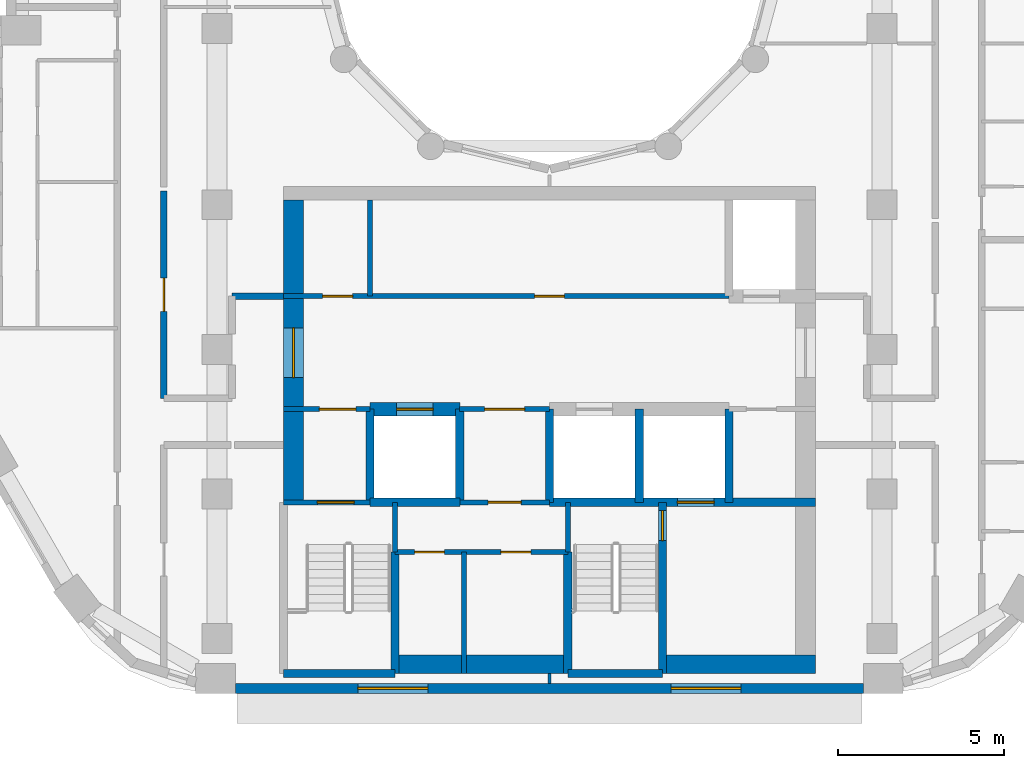
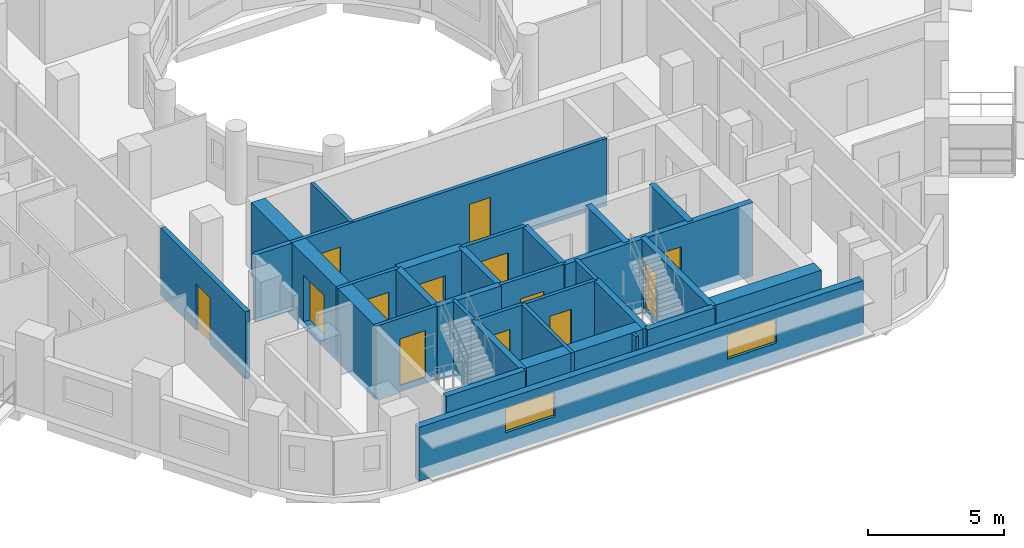
# One storey, part 3 of 15: 30 walls, 13 doors, 2 windows, 15 openings.
"""IFC4 building model written with IfcOpenShell, lengths in metres."""

import ifcopenshell
import ifcopenshell.guid

model = None  # the IFC model being written
_history = None  # IfcOwnerHistory: only IFC2X3 demands one
_inside = {}  # id of a spatial element -> (the spatial element, [elements in it])
_under = {}  # id of a project, library or spatial element -> (it, [spatial elements below it])
_declared = {}  # id of a project -> (the project, [libraries it declares])
_typed = {}  # id of a type object -> (the type object, [elements of that type])
_made_of = {}  # id of a material, layer set ... -> (it, [elements and type objects made of it])


def new_model(schema):
    """Start an empty IFC model of exactly this schema.

    Asked for "IFC4X3", IfcOpenShell would pick the latest addendum, in which some entities
    have other attributes; the version numbers below select the first issue.
    IFC2X3 requires an IfcOwnerHistory on every rooted entity: one is made here for all.
    """
    global model, _history
    if schema == "IFC4X3":
        model = ifcopenshell.file(schema_version=(4, 3, 0, 0))
    else:
        model = ifcopenshell.file(schema=schema)
    _inside.clear()
    _under.clear()
    _declared.clear()
    _typed.clear()
    _made_of.clear()
    _history = None
    if model.schema == "IFC2X3":
        org = make("IfcOrganization", Name="unknown")
        user = make(
            "IfcPersonAndOrganization",
            ThePerson=make("IfcPerson", FamilyName="unknown"),
            TheOrganization=org,
        )
        app = make(
            "IfcApplication",
            ApplicationDeveloper=org,
            Version="unknown",
            ApplicationFullName="unknown",
            ApplicationIdentifier="unknown",
        )
        _history = make(
            "IfcOwnerHistory",
            OwningUser=user,
            OwningApplication=app,
            ChangeAction="ADDED",
            CreationDate=0,
        )
    return model


def make(cls, **values):
    """One entity of the class cls with the attributes given. An attribute that is None is left unset."""
    return model.create_entity(
        cls, **{name: value for name, value in values.items() if value is not None}
    )


def rooted(cls, **values):
    """An entity with a GlobalId (a new one), such as an element, a storey or a relation."""
    return make(cls, GlobalId=ifcopenshell.guid.new(), OwnerHistory=_history, **values)


def si_unit(unit_type, name, prefix=None):
    """IfcSIUnit, for example si_unit("LENGTHUNIT", "METRE", prefix="MILLI")."""
    return make("IfcSIUnit", UnitType=unit_type, Prefix=prefix, Name=name)


def assignment(units):
    """IfcUnitAssignment: the units of a project."""
    return None if units is None else make("IfcUnitAssignment", Units=units)


def point(xyz):
    """IfcCartesianPoint."""
    return None if xyz is None else make("IfcCartesianPoint", Coordinates=xyz)


def direction(xyz):
    """IfcDirection."""
    return None if xyz is None else make("IfcDirection", DirectionRatios=xyz)


def frame(location, z_axis=None, x_axis=None):
    """IfcAxis2Placement3D, a coordinate frame: its origin and axes. An axis left out is left unset."""
    return make(
        "IfcAxis2Placement3D",
        Location=point(location),
        Axis=direction(z_axis),
        RefDirection=direction(x_axis),
    )


def frame_2d(location, x_axis=None):
    """IfcAxis2Placement2D, a coordinate frame in the plane: its origin and x axis."""
    return make(
        "IfcAxis2Placement2D", Location=point(location), RefDirection=direction(x_axis)
    )


def origin():
    """The frame at (0, 0, 0) with its axes left unset."""
    return frame((0.0, 0.0, 0.0))


def place(relative_to, where):
    """IfcLocalPlacement: puts the frame where relative to a parent placement (None: the world)."""
    return make(
        "IfcLocalPlacement", PlacementRelTo=relative_to, RelativePlacement=where
    )


def context(
    kind, dimensions, precision=None, world=None, true_north=None, identifier=None
):
    """IfcGeometricRepresentationContext, for example the 3D "Model" context."""
    return make(
        "IfcGeometricRepresentationContext",
        ContextIdentifier=identifier,
        ContextType=kind,
        CoordinateSpaceDimension=dimensions,
        Precision=precision,
        WorldCoordinateSystem=world,
        TrueNorth=true_north,
    )


def subcontext(parent, identifier, kind, view, scale=None):
    """IfcGeometricRepresentationSubContext, for example "Body" below "Model"."""
    return make(
        "IfcGeometricRepresentationSubContext",
        ContextIdentifier=identifier,
        ContextType=kind,
        ParentContext=parent,
        TargetScale=scale,
        TargetView=view,
    )


def project(units=None, contexts=None):
    """IfcProject with its units and contexts."""
    return rooted(
        "IfcProject",
        Name="project",
        RepresentationContexts=contexts,
        UnitsInContext=assignment(units),
    )


def spatial(cls, under=None, at=None, **own):
    """A site, building, storey or space (cls), placed at a placement, below another one or the project."""
    s = rooted(cls, ObjectPlacement=at, **own)
    if under is not None:
        _under.setdefault(under.id(), (under, []))[1].append(s)
    return s


def profile(cls, at=None, kind="AREA", **sizes):
    """A parametric profile (cls). Its sizes go by their IFC names, for example OverallWidth=200.0."""
    return make(cls, ProfileType=kind, Position=at, **sizes)


def rectangle(**sizes):
    """IfcRectangleProfileDef."""
    return profile("IfcRectangleProfileDef", **sizes)


def extrude(swept, where, along, depth):
    """IfcExtrudedAreaSolid: the profile swept, set in the frame where, extruded along a direction by depth."""
    return make(
        "IfcExtrudedAreaSolid",
        SweptArea=swept,
        Position=where,
        ExtrudedDirection=direction(along),
        Depth=depth,
    )


def shape(context_of_items, identifier, shape_type, items):
    """IfcShapeRepresentation: the items that make up one representation, for example the "Body"."""
    return make(
        "IfcShapeRepresentation",
        ContextOfItems=context_of_items,
        RepresentationIdentifier=identifier,
        RepresentationType=shape_type,
        Items=items,
    )


def material(Name=None, Category=None):
    """IfcMaterial."""
    return make("IfcMaterial", Name=Name, Category=Category)


def layer(
    of_material, thickness, ventilated=None, Name=None, Category=None, Priority=None
):
    """IfcMaterialLayer: one layer of a wall or slab, of a material (None: an air gap)."""
    return make(
        "IfcMaterialLayer",
        Material=of_material,
        LayerThickness=thickness,
        IsVentilated=ventilated,
        Name=Name,
        Category=Category,
        Priority=Priority,
    )


def layer_set(layers, Name=None):
    """IfcMaterialLayerSet."""
    return make("IfcMaterialLayerSet", MaterialLayers=layers, LayerSetName=Name)


def made_of(thing, what):
    """Note that an element or type object is made of a material, layer set ...; save() writes the relation."""
    if what is not None:
        _made_of.setdefault(what.id(), (what, []))[1].append(thing)
    return thing


def type_object(cls, material=None, **own):
    """A type object (cls), such as IfcWallType, which elements share."""
    return made_of(rooted(cls, **own), material)


def element(
    cls,
    number,
    at=None,
    inside=None,
    cuts=None,
    type_object=None,
    material=None,
    context=None,
    identifier="Body",
    shape_type=None,
    held_by="IfcProductDefinitionShape",
    body=None,
    shapes=None,
    **own,
):
    """One element of the class cls, such as IfcWall. Its Tag is "e" and its number.

    at: its placement. inside: the storey or other place that contains it. cuts: it is an
    opening in that element (IfcRelVoidsElement). A single representation is given by context,
    identifier, shape_type and body (its items); several are given by shapes. held_by: the class
    of the entity that holds the representations. save() writes the other relations.
    """
    e = rooted(cls, Tag="e%d" % number, ObjectPlacement=at, **own)
    if body is not None:
        shapes = [shape(context, identifier, shape_type, body)]
    if shapes is not None:
        e.Representation = make(held_by, Representations=shapes)
    if inside is not None:
        _inside.setdefault(inside.id(), (inside, []))[1].append(e)
    if cuts is not None:
        rooted(
            "IfcRelVoidsElement", RelatingBuildingElement=cuts, RelatedOpeningElement=e
        )
    if type_object is not None:
        _typed.setdefault(type_object.id(), (type_object, []))[1].append(e)
    return made_of(e, material)


def fill(opening, filler):
    """IfcRelFillsElement: the door or window that sits in an opening."""
    return rooted(
        "IfcRelFillsElement",
        RelatingOpeningElement=opening,
        RelatedBuildingElement=filler,
    )


def aggregate(whole, parts):
    """IfcRelAggregates: a whole, such as a stair, and the parts it consists of."""
    return rooted("IfcRelAggregates", RelatingObject=whole, RelatedObjects=parts)


def save(model, path):
    """Write the relations noted so far, then the file.

    IfcRelAggregates (storeys below a building ...), IfcRelContainedInSpatialStructure (elements
    in a storey), IfcRelDefinesByType, IfcRelAssociatesMaterial and IfcRelDeclares: one each for
    every whole, place, type object, material and project.
    """
    for whole, parts in _under.values():
        aggregate(whole, parts)
    for where, things in _inside.values():
        rooted(
            "IfcRelContainedInSpatialStructure",
            RelatedElements=things,
            RelatingStructure=where,
        )
    for kind, things in _typed.values():
        rooted("IfcRelDefinesByType", RelatedObjects=things, RelatingType=kind)
    for what, things in _made_of.values():
        rooted("IfcRelAssociatesMaterial", RelatedObjects=things, RelatingMaterial=what)
    for by, libraries in _declared.values():
        rooted("IfcRelDeclares", RelatingContext=by, RelatedDefinitions=libraries)
    model.write(path)


model = new_model("IFC4")

# Units and contexts
model_context = context("Model", 3, precision=1e-05, world=origin(), true_north=direction((0.0, 1.0)))
body_context = subcontext(model_context, "Body", "Model", "MODEL_VIEW")
ifc_project = project(units=[si_unit("LENGTHUNIT", "METRE"), si_unit("AREAUNIT", "SQUARE_METRE"), si_unit("VOLUMEUNIT", "CUBIC_METRE"), si_unit("PLANEANGLEUNIT", "RADIAN"), si_unit("MASSUNIT", "GRAM", prefix="KILO")], contexts=[model_context])

# Site, building, storey
site_placement = place(None, origin())
site = spatial("IfcSite", under=ifc_project, at=site_placement, CompositionType="ELEMENT")
building_placement = place(site_placement, origin())
building = spatial("IfcBuilding", under=site, at=building_placement, Name="Nakaniwa Court", CompositionType="ELEMENT")
storey_placement = place(building_placement, frame((0.0, 0.0, 213.0)))
storey = spatial("IfcBuildingStorey", under=building, at=storey_placement, Name="L56", CompositionType="ELEMENT", Elevation=213.0)

# Wall
ifc_material_1 = material(Name="Acoustic double stud partition")
ifc_layer_1 = layer(ifc_material_1, 0.199951171875)
ifc_layer_set_1 = layer_set([ifc_layer_1], Name="Acoustic double stud partition")
wall_type_1 = type_object("IfcWallType", Name="Acoustic double stud partition 200", PredefinedType="PARTITIONING", material=ifc_layer_set_1)
wall_1_placement = place(storey_placement, frame((70.449951171875, 69.300048828125, 0.0), z_axis=(0.0, 0.0, 1.0), x_axis=(1.0, 0.0, 0.0)))
element("IfcWall", 1, at=wall_1_placement, inside=storey, type_object=wall_type_1, Name="Partition PW-076", PredefinedType="PARTITIONING", context=body_context, shape_type="SweptSolid", body=[
    extrude(rectangle(XDim=1.550048828125, YDim=0.199951171875, at=frame_2d((0.77490234375, 0.0))), origin(), (0.0, 0.0, 1.0), 3.02490234375),
])

# Wall, opening, door
wall_2_placement = place(storey_placement, frame((68.39990234375, 72.462890625, 0.0), z_axis=(0.0, 0.0, 1.0), x_axis=(0.0, -1.0, 0.0)))
wall_2 = element("IfcWall", 2, at=wall_2_placement, inside=storey, type_object=wall_type_1, Name="Partition PW-093", PredefinedType="PARTITIONING", context=body_context, shape_type="SweptSolid", body=[
    extrude(rectangle(XDim=6.23779296875, YDim=0.199951171875, at=frame_2d((3.118896484375, 0.0))), origin(), (0.0, 0.0, 1.0), 3.02490234375),
])
opening_1_placement = place(wall_2_placement, frame((2.6201171875, 0.0, 0.0)))
opening_1 = element("IfcOpeningElement", 3, at=opening_1_placement, cuts=wall_2, Name="Opening D-02-06", PredefinedType="OPENING", context=body_context, shape_type="SweptSolid", body=[
    extrude(rectangle(XDim=1.0, YDim=2.10009765625, at=frame_2d((0.5, 1.050048828125))), frame((0.0, 0.10986328125, 0.0), z_axis=(0.0, -1.0, 0.0), x_axis=(1.0, 0.0, 0.0)), (0.0, 0.0, 1.0), 0.219970703125),
])
ifc_material_2 = material(Name="Solid core timber door set, black veneer", Category="wood")
door_type_1 = type_object("IfcDoorType", Name="Internal door 1000", OperationType="NOTDEFINED", PredefinedType="DOOR", material=ifc_material_2)
door_1_placement = place(opening_1_placement, origin())
door_1 = element("IfcDoor", 4, at=door_1_placement, inside=storey, type_object=door_type_1, Name="Door D-02-06 L56-034", OperationType="SINGLE_SWING_LEFT", OverallHeight=2.10009765625, OverallWidth=1.0, PredefinedType="DOOR", context=body_context, shape_type="SweptSolid", body=[
    extrude(rectangle(XDim=1.0, YDim=2.10009765625, at=frame_2d((0.5, 1.050048828125))), frame((0.0, 0.02490234375, 0.0), z_axis=(0.0, -1.0, 0.0), x_axis=(1.0, 0.0, 0.0)), (0.0, 0.0, 1.0), 0.050048828125),
])
fill(opening_1, door_1)

# Wall, openings, windows
ifc_material_3 = material(Name="Charcoal ceramic cladding")
ifc_layer_2 = layer(ifc_material_3, 0.02, Name="Ceramic cladding")
ifc_material_4 = material(Name="Ventilated air cavity")
ifc_layer_3 = layer(ifc_material_4, 0.04, ventilated=True, Name="Ventilated cavity")
ifc_material_5 = material(Name="Mineral wool insulation")
ifc_layer_4 = layer(ifc_material_5, 0.1, Name="Insulation")
ifc_material_6 = material(Name="Cement bonded sheathing board")
ifc_layer_5 = layer(ifc_material_6, 0.012, Name="Sheathing")
ifc_material_7 = material(Name="Cold-formed galvanised stud frame with mineral wool infill")
ifc_layer_6 = layer(ifc_material_7, 0.1, Name="Stud frame")
ifc_material_8 = material(Name="Fire-rated gypsum plasterboard lining")
ifc_layer_7 = layer(ifc_material_8, 0.028, Name="Lining")
ifc_layer_set_2 = layer_set([ifc_layer_2, ifc_layer_3, ifc_layer_4, ifc_layer_5, ifc_layer_6, ifc_layer_7], Name="Charcoal ceramic faced external wall system")
wall_type_2 = type_object("IfcWallType", Name="Black ceramic faced external wall 300", PredefinedType="SOLIDWALL", material=ifc_layer_set_2)
wall_3_placement = place(storey_placement, frame((70.55078125, 57.5, 0.0), z_axis=(0.0, 0.0, 1.0), x_axis=(1.0, 0.0, 0.0)))
wall_3 = element("IfcWall", 5, at=wall_3_placement, inside=storey, type_object=wall_type_2, Name="L56 external wall 26", PredefinedType="SOLIDWALL", context=body_context, shape_type="SweptSolid", body=[
    extrude(rectangle(XDim=18.892822265625, YDim=0.300048828125, at=frame_2d((9.4462890625, 0.0))), origin(), (0.0, 0.0, 1.0), 2.425048828125),
])
opening_2_placement = place(wall_3_placement, frame((3.6865234375, 0.0, 0.89990234375)))
opening_2 = element("IfcOpeningElement", 6, at=opening_2_placement, cuts=wall_3, Name="Opening W7.29", PredefinedType="OPENING", context=body_context, shape_type="SweptSolid", body=[
    extrude(rectangle(XDim=2.10009765625, YDim=1.10009765625, at=frame_2d((1.050048828125, 0.550048828125))), frame((0.0, 0.159912109375, 0.0), z_axis=(0.0, -1.0, 0.0), x_axis=(1.0, 0.0, 0.0)), (0.0, 0.0, 1.0), 0.320068359375),
])
opening_3_placement = place(wall_3_placement, frame((13.10888671875, 0.0, 0.89990234375)))
opening_3 = element("IfcOpeningElement", 7, at=opening_3_placement, cuts=wall_3, Name="Opening W7.30", PredefinedType="OPENING", context=body_context, shape_type="SweptSolid", body=[
    extrude(rectangle(XDim=2.10009765625, YDim=1.10009765625, at=frame_2d((1.050048828125, 0.550048828125))), frame((0.0, 0.159912109375, 0.0), z_axis=(0.0, -1.0, 0.0), x_axis=(1.0, 0.0, 0.0)), (0.0, 0.0, 1.0), 0.320068359375),
])
ifc_material_9 = material(Name="Black anodised aluminium frame with dark low-E laminated double glazing", Category="aluminium")
window_type = type_object("IfcWindowType", Name="Dark glass window 2100x1100 sill 900", PartitioningType="SINGLE_PANEL", PredefinedType="WINDOW", material=ifc_material_9)
window_1_placement = place(opening_2_placement, origin())
window_1 = element("IfcWindow", 8, at=window_1_placement, inside=storey, type_object=window_type, Name="L56 habitable room window 26-0", OverallHeight=1.10009765625, OverallWidth=2.10009765625, PartitioningType="SINGLE_PANEL", PredefinedType="WINDOW", context=body_context, shape_type="SweptSolid", body=[
    extrude(rectangle(XDim=2.10009765625, YDim=1.10009765625, at=frame_2d((1.050048828125, 0.550048828125))), frame((0.0, 0.030029296875, 0.0), z_axis=(0.0, -1.0, 0.0), x_axis=(1.0, 0.0, 0.0)), (0.0, 0.0, 1.0), 0.06005859375),
])
fill(opening_2, window_1)
window_2_placement = place(opening_3_placement, origin())
window_2 = element("IfcWindow", 9, at=window_2_placement, inside=storey, type_object=window_type, Name="L56 habitable room window 26-1", OverallHeight=1.10009765625, OverallWidth=2.10009765625, PartitioningType="SINGLE_PANEL", PredefinedType="WINDOW", context=body_context, shape_type="SweptSolid", body=[
    extrude(rectangle(XDim=2.10009765625, YDim=1.10009765625, at=frame_2d((1.050048828125, 0.550048828125))), frame((0.0, 0.030029296875, 0.0), z_axis=(0.0, -1.0, 0.0), x_axis=(1.0, 0.0, 0.0)), (0.0, 0.0, 1.0), 0.06005859375),
])
fill(opening_3, window_2)

# Wall
ifc_material_10 = material(Name="Blockwork partition", Category="masonry")
ifc_layer_8 = layer(ifc_material_10, 0.14990234375)
ifc_layer_set_3 = layer_set([ifc_layer_8], Name="Blockwork partition")
wall_type_3 = type_object("IfcWallType", Name="Blockwork partition 150", PredefinedType="PARTITIONING", material=ifc_layer_set_3)
wall_4_placement = place(storey_placement, frame((74.60009765625, 69.300048828125, 0.0), z_axis=(0.0, 0.0, 1.0), x_axis=(0.0, 1.0, 0.0)))
element("IfcWall", 10, at=wall_4_placement, inside=storey, type_object=wall_type_3, Name="Partition PW-033", PredefinedType="PARTITIONING", context=body_context, shape_type="SweptSolid", body=[
    extrude(rectangle(XDim=2.89990234375, YDim=0.14990234375, at=frame_2d((1.449951171875, 0.0))), origin(), (0.0, 0.0, 1.0), 3.02490234375),
])

# Wall, openings, doors
wall_5_placement = place(storey_placement, frame((72.0, 69.300048828125, 0.0), z_axis=(0.0, 0.0, 1.0), x_axis=(1.0, 0.0, 0.0)))
wall_5 = element("IfcWall", 11, at=wall_5_placement, inside=storey, type_object=wall_type_3, Name="Partition PW-034", PredefinedType="PARTITIONING", context=body_context, shape_type="SweptSolid", body=[
    extrude(rectangle(XDim=13.39990234375, YDim=0.14990234375, at=frame_2d((6.699951171875, 0.0))), origin(), (0.0, 0.0, 1.0), 3.02490234375),
])
opening_4_placement = place(wall_5_placement, frame((1.175048828125, 0.0, 0.0)))
opening_4 = element("IfcOpeningElement", 12, at=opening_4_placement, cuts=wall_5, Name="Opening D-05-06", PredefinedType="OPENING", context=body_context, shape_type="SweptSolid", body=[
    extrude(rectangle(XDim=0.89990234375, YDim=2.10009765625, at=frame_2d((0.449951171875, 1.050048828125))), frame((0.0, 0.0849609375, 0.0), z_axis=(0.0, -1.0, 0.0), x_axis=(1.0, 0.0, 0.0)), (0.0, 0.0, 1.0), 0.169921875),
])
opening_5_placement = place(wall_5_placement, frame((7.550048828125, 0.0, 0.0)))
opening_5 = element("IfcOpeningElement", 13, at=opening_5_placement, cuts=wall_5, Name="Opening D-05-07", PredefinedType="OPENING", context=body_context, shape_type="SweptSolid", body=[
    extrude(rectangle(XDim=0.89990234375, YDim=2.10009765625, at=frame_2d((0.449951171875, 1.050048828125))), frame((0.0, 0.0849609375, 0.0), z_axis=(0.0, -1.0, 0.0), x_axis=(1.0, 0.0, 0.0)), (0.0, 0.0, 1.0), 0.169921875),
])
ifc_material_11 = material(Name="Fire rated steel door set", Category="steel")
door_type_2 = type_object("IfcDoorType", Name="Service room door 900", OperationType="NOTDEFINED", PredefinedType="DOOR", material=ifc_material_11)
door_2_placement = place(opening_4_placement, origin())
door_2 = element("IfcDoor", 14, at=door_2_placement, inside=storey, type_object=door_type_2, Name="Door D-05-06 L56-011", OperationType="SINGLE_SWING_RIGHT", OverallHeight=2.10009765625, OverallWidth=0.89990234375, PredefinedType="DOOR", context=body_context, shape_type="SweptSolid", body=[
    extrude(rectangle(XDim=0.89990234375, YDim=2.10009765625, at=frame_2d((0.449951171875, 1.050048828125))), frame((0.0, 0.02490234375, 0.0), z_axis=(0.0, -1.0, 0.0), x_axis=(1.0, 0.0, 0.0)), (0.0, 0.0, 1.0), 0.050048828125),
])
fill(opening_4, door_2)
door_3_placement = place(opening_5_placement, origin())
door_3 = element("IfcDoor", 15, at=door_3_placement, inside=storey, type_object=door_type_2, Name="Door D-05-07 L56-012", OperationType="SINGLE_SWING_LEFT", OverallHeight=2.10009765625, OverallWidth=0.89990234375, PredefinedType="DOOR", context=body_context, shape_type="SweptSolid", body=[
    extrude(rectangle(XDim=0.89990234375, YDim=2.10009765625, at=frame_2d((0.449951171875, 1.050048828125))), frame((0.0, 0.02490234375, 0.0), z_axis=(0.0, -1.0, 0.0), x_axis=(1.0, 0.0, 0.0)), (0.0, 0.0, 1.0), 0.050048828125),
])
fill(opening_5, door_3)

# Wall, opening, door
wall_6_placement = place(storey_placement, frame((74.60302734375, 65.89990234375, 0.0), z_axis=(0.0, 0.0, 1.0), x_axis=(-1.0, 0.0, 0.0)))
wall_6 = element("IfcWall", 16, at=wall_6_placement, inside=storey, type_object=wall_type_3, Name="Partition PW-040", PredefinedType="PARTITIONING", context=body_context, shape_type="SweptSolid", body=[
    extrude(rectangle(XDim=2.60302734375, YDim=0.14990234375, at=frame_2d((1.301513671875, 0.0))), origin(), (0.0, 0.0, 1.0), 3.02490234375),
])
opening_6_placement = place(wall_6_placement, frame((0.427978515625, 0.0, 0.0)))
opening_6 = element("IfcOpeningElement", 17, at=opening_6_placement, cuts=wall_6, Name="Opening D-08-02", PredefinedType="OPENING", context=body_context, shape_type="SweptSolid", body=[
    extrude(rectangle(XDim=1.10009765625, YDim=2.10009765625, at=frame_2d((0.550048828125, 1.050048828125))), frame((0.0, 0.0849609375, 0.0), z_axis=(0.0, -1.0, 0.0), x_axis=(1.0, 0.0, 0.0)), (0.0, 0.0, 1.0), 0.169921875),
])
door_type_3 = type_object("IfcDoorType", Name="Stair lobby door 1100", OperationType="NOTDEFINED", PredefinedType="DOOR", material=ifc_material_11)
door_4_placement = place(opening_6_placement, origin())
door_4 = element("IfcDoor", 18, at=door_4_placement, inside=storey, type_object=door_type_3, Name="Door D-08-02 L56-013", OperationType="SINGLE_SWING_RIGHT", OverallHeight=2.10009765625, OverallWidth=1.10009765625, PredefinedType="DOOR", context=body_context, shape_type="SweptSolid", body=[
    extrude(rectangle(XDim=1.10009765625, YDim=2.10009765625, at=frame_2d((0.550048828125, 1.050048828125))), frame((0.0, 0.02490234375, 0.0), z_axis=(0.0, -1.0, 0.0), x_axis=(1.0, 0.0, 0.0)), (0.0, 0.0, 1.0), 0.050048828125),
])
fill(opening_6, door_4)

wall_7_placement = place(storey_placement, frame((80.0029296875, 65.89990234375, 0.0), z_axis=(0.0, 0.0, 1.0), x_axis=(-1.0, 0.0, 0.0)))
wall_7 = element("IfcWall", 19, at=wall_7_placement, inside=storey, type_object=wall_type_3, Name="Partition PW-041", PredefinedType="PARTITIONING", context=body_context, shape_type="SweptSolid", body=[
    extrude(rectangle(XDim=2.705810546875, YDim=0.14990234375, at=frame_2d((1.35302734375, 0.0))), origin(), (0.0, 0.0, 1.0), 3.02490234375),
])
opening_7_placement = place(wall_7_placement, frame((0.7529296875, 0.0, 0.0)))
opening_7 = element("IfcOpeningElement", 20, at=opening_7_placement, cuts=wall_7, Name="Opening D-06-02", PredefinedType="OPENING", context=body_context, shape_type="SweptSolid", body=[
    extrude(rectangle(XDim=1.199951171875, YDim=2.10009765625, at=frame_2d((0.60009765625, 1.050048828125))), frame((0.0, 0.0849609375, 0.0), z_axis=(0.0, -1.0, 0.0), x_axis=(1.0, 0.0, 0.0)), (0.0, 0.0, 1.0), 0.169921875),
])
ifc_material_12 = material(Name="Fire rated steel double door set", Category="steel")
door_type_4 = type_object("IfcDoorType", Name="Service passage double door 1200", OperationType="NOTDEFINED", PredefinedType="DOOR", material=ifc_material_12)
door_5_placement = place(opening_7_placement, origin())
door_5 = element("IfcDoor", 21, at=door_5_placement, inside=storey, type_object=door_type_4, Name="Door D-06-02 L56-014", OperationType="DOUBLE_DOOR_SINGLE_SWING", OverallHeight=2.10009765625, OverallWidth=1.199951171875, PredefinedType="DOOR", context=body_context, shape_type="SweptSolid", body=[
    extrude(rectangle(XDim=1.199951171875, YDim=2.10009765625, at=frame_2d((0.60009765625, 1.050048828125))), frame((0.0, 0.02490234375, 0.0), z_axis=(0.0, -1.0, 0.0), x_axis=(1.0, 0.0, 0.0)), (0.0, 0.0, 1.0), 0.050048828125),
])
fill(opening_7, door_5)

wall_8_placement = place(storey_placement, frame((80.0, 63.10009765625, 0.0), z_axis=(0.0, 0.0, 1.0), x_axis=(-1.0, 0.0, 0.0)))
wall_8 = element("IfcWall", 22, at=wall_8_placement, inside=storey, type_object=wall_type_3, Name="Partition PW-051", PredefinedType="PARTITIONING", context=body_context, shape_type="SweptSolid", body=[
    extrude(rectangle(XDim=2.699951171875, YDim=0.14990234375, at=frame_2d((1.35009765625, 0.0))), origin(), (0.0, 0.0, 1.0), 3.02490234375),
])
opening_8_placement = place(wall_8_placement, frame((0.85009765625, 0.0, 0.0)))
opening_8 = element("IfcOpeningElement", 23, at=opening_8_placement, cuts=wall_8, Name="Opening D-23-02", PredefinedType="OPENING", context=body_context, shape_type="SweptSolid", body=[
    extrude(rectangle(XDim=1.0, YDim=2.10009765625, at=frame_2d((0.5, 1.050048828125))), frame((0.0, 0.0849609375, 0.0), z_axis=(0.0, -1.0, 0.0), x_axis=(1.0, 0.0, 0.0)), (0.0, 0.0, 1.0), 0.169921875),
])
door_type_5 = type_object("IfcDoorType", Name="Service room door 1000", OperationType="NOTDEFINED", PredefinedType="DOOR", material=ifc_material_11)
door_6_placement = place(opening_8_placement, origin())
door_6 = element("IfcDoor", 24, at=door_6_placement, inside=storey, type_object=door_type_5, Name="Door D-23-02 L56-016", OperationType="SINGLE_SWING_LEFT", OverallHeight=2.10009765625, OverallWidth=1.0, PredefinedType="DOOR", context=body_context, shape_type="SweptSolid", body=[
    extrude(rectangle(XDim=1.0, YDim=2.10009765625, at=frame_2d((0.5, 1.050048828125))), frame((0.0, 0.02490234375, 0.0), z_axis=(0.0, -1.0, 0.0), x_axis=(1.0, 0.0, 0.0)), (0.0, 0.0, 1.0), 0.050048828125),
])
fill(opening_8, door_6)

# Wall, openings, doors
wall_9_placement = place(storey_placement, frame((80.550048828125, 61.60009765625, 0.0), z_axis=(0.0, 0.0, 1.0), x_axis=(-1.0, 0.0, 0.0)))
wall_9 = element("IfcWall", 25, at=wall_9_placement, inside=storey, type_object=wall_type_3, Name="Partition PW-063", PredefinedType="PARTITIONING", context=body_context, shape_type="SweptSolid", body=[
    extrude(rectangle(XDim=5.199951171875, YDim=0.14990234375, at=frame_2d((2.60009765625, 0.0))), origin(), (0.0, 0.0, 1.0), 3.02490234375),
])
opening_9_placement = place(wall_9_placement, frame((3.7099609375, 0.0, 0.0)))
opening_9 = element("IfcOpeningElement", 26, at=opening_9_placement, cuts=wall_9, Name="Opening D-05-09", PredefinedType="OPENING", context=body_context, shape_type="SweptSolid", body=[
    extrude(rectangle(XDim=0.89990234375, YDim=2.10009765625, at=frame_2d((0.449951171875, 1.050048828125))), frame((0.0, 0.0849609375, 0.0), z_axis=(0.0, -1.0, 0.0), x_axis=(1.0, 0.0, 0.0)), (0.0, 0.0, 1.0), 0.169921875),
])
opening_10_placement = place(wall_9_placement, frame((1.110107421875, 0.0, 0.0)))
opening_10 = element("IfcOpeningElement", 27, at=opening_10_placement, cuts=wall_9, Name="Opening D-05-10", PredefinedType="OPENING", context=body_context, shape_type="SweptSolid", body=[
    extrude(rectangle(XDim=0.89990234375, YDim=2.10009765625, at=frame_2d((0.449951171875, 1.050048828125))), frame((0.0, 0.0849609375, 0.0), z_axis=(0.0, -1.0, 0.0), x_axis=(1.0, 0.0, 0.0)), (0.0, 0.0, 1.0), 0.169921875),
])
door_7_placement = place(opening_9_placement, origin())
door_7 = element("IfcDoor", 28, at=door_7_placement, inside=storey, type_object=door_type_2, Name="Door D-05-09 L56-017", OperationType="SINGLE_SWING_RIGHT", OverallHeight=2.10009765625, OverallWidth=0.89990234375, PredefinedType="DOOR", context=body_context, shape_type="SweptSolid", body=[
    extrude(rectangle(XDim=0.89990234375, YDim=2.10009765625, at=frame_2d((0.449951171875, 1.050048828125))), frame((0.0, 0.02490234375, 0.0), z_axis=(0.0, -1.0, 0.0), x_axis=(1.0, 0.0, 0.0)), (0.0, 0.0, 1.0), 0.050048828125),
])
fill(opening_9, door_7)
door_8_placement = place(opening_10_placement, origin())
door_8 = element("IfcDoor", 29, at=door_8_placement, inside=storey, type_object=door_type_2, Name="Door D-05-10 L56-018", OperationType="SINGLE_SWING_LEFT", OverallHeight=2.10009765625, OverallWidth=0.89990234375, PredefinedType="DOOR", context=body_context, shape_type="SweptSolid", body=[
    extrude(rectangle(XDim=0.89990234375, YDim=2.10009765625, at=frame_2d((0.449951171875, 1.050048828125))), frame((0.0, 0.02490234375, 0.0), z_axis=(0.0, -1.0, 0.0), x_axis=(1.0, 0.0, 0.0)), (0.0, 0.0, 1.0), 0.050048828125),
])
fill(opening_10, door_8)

# Wall
wall_10_placement = place(storey_placement, frame((77.429931640625, 57.949951171875, 0.0), z_axis=(0.0, 0.0, 1.0), x_axis=(0.0, 1.0, 0.0)))
element("IfcWall", 30, at=wall_10_placement, inside=storey, type_object=wall_type_3, Name="Partition PW-064", PredefinedType="PARTITIONING", context=body_context, shape_type="SweptSolid", body=[
    extrude(rectangle(XDim=3.650146484375, YDim=0.14990234375, at=frame_2d((1.8251953125, 0.0))), origin(), (0.0, 0.0, 1.0), 3.02490234375),
])

# Wall, opening, door
ifc_material_13 = material(Name="Concrete C80/100", Category="concrete")
ifc_layer_9 = layer(ifc_material_13, 0.60009765625)
ifc_layer_set_4 = layer_set([ifc_layer_9], Name="Concrete C80/100")
wall_type_4 = type_object("IfcWallType", Name="Concrete core side wall 600 C80", PredefinedType="SHEAR", material=ifc_layer_set_4)
wall_11_placement = place(storey_placement, frame((72.300048828125, 63.10009765625, -0.27490234375), z_axis=(0.0, 0.0, 1.0), x_axis=(0.0, 1.0, 0.0)))
wall_11 = element("IfcWall", 31, at=wall_11_placement, inside=storey, type_object=wall_type_4, Name="Core wall SW-35", PredefinedType="SHEAR", context=body_context, shape_type="SweptSolid", body=[
    extrude(rectangle(XDim=9.099853515625, YDim=0.60009765625, at=frame_2d((4.5498046875, 0.0))), origin(), (0.0, 0.0, 1.0), 3.2998046875),
])
opening_11_placement = place(wall_11_placement, frame((3.748046875, 0.0, 0.27490234375)))
opening_11 = element("IfcOpeningElement", 32, at=opening_11_placement, cuts=wall_11, Name="Opening D-07-04", PredefinedType="OPENING", context=body_context, shape_type="SweptSolid", body=[
    extrude(rectangle(XDim=1.5, YDim=2.10009765625, at=frame_2d((0.75, 1.050048828125))), frame((0.0, 0.31005859375, 0.0), z_axis=(0.0, -1.0, 0.0), x_axis=(1.0, 0.0, 0.0)), (0.0, 0.0, 1.0), 0.6201171875),
])
ifc_material_14 = material(Name="Glazed fire rated steel double door set", Category="steel")
door_type_6 = type_object("IfcDoorType", Name="Lobby double door 1500", OperationType="NOTDEFINED", PredefinedType="DOOR", material=ifc_material_14)
door_9_placement = place(opening_11_placement, origin())
door_9 = element("IfcDoor", 33, at=door_9_placement, inside=storey, type_object=door_type_6, Name="Door D-07-04 L56-055", OperationType="DOUBLE_DOOR_SINGLE_SWING", OverallHeight=2.10009765625, OverallWidth=1.5, PredefinedType="DOOR", context=body_context, shape_type="SweptSolid", body=[
    extrude(rectangle(XDim=1.5, YDim=2.10009765625, at=frame_2d((0.75, 1.050048828125))), frame((0.0, 0.02490234375, 0.0), z_axis=(0.0, -1.0, 0.0), x_axis=(1.0, 0.0, 0.0)), (0.0, 0.0, 1.0), 0.050048828125),
])
fill(opening_11, door_9)

ifc_layer_10 = layer(ifc_material_13, 0.39990234375)
ifc_layer_set_5 = layer_set([ifc_layer_10], Name="Concrete C80/100")
wall_type_5 = type_object("IfcWallType", Name="Concrete core spine wall 400 C80", PredefinedType="SHEAR", material=ifc_layer_set_5)
wall_12_placement = place(storey_placement, frame((74.596923828125, 65.89990234375, -0.27490234375), z_axis=(0.0, 0.0, 1.0), x_axis=(1.0, 0.0, 0.0)))
wall_12 = element("IfcWall", 34, at=wall_12_placement, inside=storey, type_object=wall_type_5, Name="Core wall SW-43", PredefinedType="SHEAR", context=body_context, shape_type="SweptSolid", body=[
    extrude(rectangle(XDim=2.7060546875, YDim=0.39990234375, at=frame_2d((1.35302734375, 0.0))), origin(), (0.0, 0.0, 1.0), 3.2998046875),
])
opening_12_placement = place(wall_12_placement, frame((0.802978515625, 0.0, 0.27490234375)))
opening_12 = element("IfcOpeningElement", 35, at=opening_12_placement, cuts=wall_12, Name="Opening LD06", PredefinedType="OPENING", context=body_context, shape_type="SweptSolid", body=[
    extrude(rectangle(XDim=1.10009765625, YDim=2.10009765625, at=frame_2d((0.550048828125, 1.050048828125))), frame((0.0, 0.2099609375, 0.0), z_axis=(0.0, -1.0, 0.0), x_axis=(1.0, 0.0, 0.0)), (0.0, 0.0, 1.0), 0.419921875),
])
ifc_material_15 = material(Name="Stainless steel sliding lift landing door", Category="steel")
door_type_7 = type_object("IfcDoorType", Name="Lift landing door 1100", OperationType="NOTDEFINED", PredefinedType="DOOR", material=ifc_material_15)
door_10_placement = place(opening_12_placement, origin())
door_10 = element("IfcDoor", 36, at=door_10_placement, inside=storey, type_object=door_type_7, Name="Lift landing door LD06 L56-006", OperationType="SLIDING_TO_LEFT", OverallHeight=2.10009765625, OverallWidth=1.10009765625, PredefinedType="DOOR", context=body_context, shape_type="SweptSolid", body=[
    extrude(rectangle(XDim=1.10009765625, YDim=2.10009765625, at=frame_2d((0.550048828125, 1.050048828125))), frame((0.0, 0.02490234375, 0.0), z_axis=(0.0, -1.0, 0.0), x_axis=(1.0, 0.0, 0.0)), (0.0, 0.0, 1.0), 0.050048828125),
])
fill(opening_12, door_10)

ifc_layer_11 = layer(ifc_material_13, 0.14990234375)
ifc_layer_set_6 = layer_set([ifc_layer_11], Name="Concrete C80/100")
wall_type_6 = type_object("IfcWallType", Name="Concrete core wall 150 C80", PredefinedType="SHEAR", material=ifc_layer_set_6)
wall_13_placement = place(storey_placement, frame((72.0, 63.10009765625, -0.27490234375), z_axis=(0.0, 0.0, 1.0), x_axis=(1.0, 0.0, 0.0)))
wall_13 = element("IfcWall", 37, at=wall_13_placement, inside=storey, type_object=wall_type_6, Name="Core wall SW-46", PredefinedType="SHEAR", context=body_context, shape_type="SweptSolid", body=[
    extrude(rectangle(XDim=2.60009765625, YDim=0.14990234375, at=frame_2d((1.300048828125, 0.0))), origin(), (0.0, 0.0, 1.0), 3.2998046875),
])
opening_13_placement = place(wall_13_placement, frame((1.02001953125, 0.0, 0.27490234375)))
opening_13 = element("IfcOpeningElement", 38, at=opening_13_placement, cuts=wall_13, Name="Opening D-09-02", PredefinedType="OPENING", context=body_context, shape_type="SweptSolid", body=[
    extrude(rectangle(XDim=1.10009765625, YDim=2.10009765625, at=frame_2d((0.550048828125, 1.050048828125))), frame((0.0, 0.0849609375, 0.0), z_axis=(0.0, -1.0, 0.0), x_axis=(1.0, 0.0, 0.0)), (0.0, 0.0, 1.0), 0.169921875),
])
door_type_8 = type_object("IfcDoorType", Name="Stair door 1100", OperationType="NOTDEFINED", PredefinedType="DOOR", material=ifc_material_11)
door_11_placement = place(opening_13_placement, origin())
door_11 = element("IfcDoor", 39, at=door_11_placement, inside=storey, type_object=door_type_8, Name="Door D-09-02 L56-019", OperationType="SINGLE_SWING_LEFT", OverallHeight=2.10009765625, OverallWidth=1.10009765625, PredefinedType="DOOR", context=body_context, shape_type="SweptSolid", body=[
    extrude(rectangle(XDim=1.10009765625, YDim=2.10009765625, at=frame_2d((0.550048828125, 1.050048828125))), frame((0.0, 0.02490234375, 0.0), z_axis=(0.0, -1.0, 0.0), x_axis=(1.0, 0.0, 0.0)), (0.0, 0.0, 1.0), 0.050048828125),
])
fill(opening_13, door_11)

# Walls
for number, where, z_axis, x_axis, name in (
    (40, (75.35009765625, 61.596923828125, -0.27490234375), (0.0, 0.0, 1.0), (0.0, 1.0, 0.0), "Core wall SW-53"),
    (41, (80.550048828125, 61.596923828125, -0.27490234375), (0.0, 0.0, 1.0), (0.0, 1.0, 0.0), "Core wall SW-59"),
):
    element("IfcWall", number, at=place(storey_placement, frame(where, z_axis=z_axis, x_axis=x_axis)), inside=storey, type_object=wall_type_6, Name=name, PredefinedType="SHEAR", context=body_context, shape_type="SweptSolid", body=[
        extrude(rectangle(XDim=1.503173828125, YDim=0.14990234375, at=frame_2d((0.75146484375, 0.0))), origin(), (0.0, 0.0, 1.0), 3.2998046875),
    ])
ifc_layer_12 = layer(ifc_material_13, 0.25)
ifc_layer_set_7 = layer_set([ifc_layer_12], Name="Concrete C80/100")
wall_type_7 = type_object("IfcWallType", Name="Concrete core wall 250 C80", PredefinedType="SHEAR", material=ifc_layer_set_7)
wall_14_placement = place(storey_placement, frame((72.0, 57.949951171875, -0.27490234375), z_axis=(0.0, 0.0, 1.0), x_axis=(1.0, 0.0, 0.0)))
element("IfcWall", 42, at=wall_14_placement, inside=storey, type_object=wall_type_7, Name="Core wall SW-56", PredefinedType="SHEAR", context=body_context, shape_type="SweptSolid", body=[
    extrude(rectangle(XDim=3.35009765625, YDim=0.25, at=frame_2d((1.675048828125, 0.0))), origin(), (0.0, 0.0, 1.0), 3.2998046875),
])
wall_15_placement = place(storey_placement, frame((80.550048828125, 57.949951171875, -0.27490234375), z_axis=(0.0, 0.0, 1.0), x_axis=(1.0, 0.0, 0.0)))
element("IfcWall", 43, at=wall_15_placement, inside=storey, type_object=wall_type_7, Name="Core wall SW-57", PredefinedType="SHEAR", context=body_context, shape_type="SweptSolid", body=[
    extrude(rectangle(XDim=2.849853515625, YDim=0.25, at=frame_2d((1.4248046875, 0.0))), origin(), (0.0, 0.0, 1.0), 3.2998046875),
])
ifc_layer_13 = layer(ifc_material_13, 0.550048828125)
ifc_layer_set_8 = layer_set([ifc_layer_13], Name="Concrete C80/100")
wall_type_8 = type_object("IfcWallType", Name="Concrete core wall 550 C80", PredefinedType="SHEAR", material=ifc_layer_set_8)
wall_16_placement = place(storey_placement, frame((75.35009765625, 58.22509765625, -0.27490234375), z_axis=(0.0, 0.0, 1.0), x_axis=(1.0, 0.0, 0.0)))
element("IfcWall", 44, at=wall_16_placement, inside=storey, type_object=wall_type_8, Name="Core wall SW-61", PredefinedType="SHEAR", context=body_context, shape_type="SweptSolid", body=[
    extrude(rectangle(XDim=5.199951171875, YDim=0.550048828125, at=frame_2d((2.60009765625, 0.0))), origin(), (0.0, 0.0, 1.0), 3.2998046875),
])
wall_17_placement = place(storey_placement, frame((83.39990234375, 58.22509765625, -0.27490234375), z_axis=(0.0, 0.0, 1.0), x_axis=(1.0, 0.0, 0.0)))
element("IfcWall", 45, at=wall_17_placement, inside=storey, type_object=wall_type_8, Name="Core wall SW-62", PredefinedType="SHEAR", context=body_context, shape_type="SweptSolid", body=[
    extrude(rectangle(XDim=4.60009765625, YDim=0.550048828125, at=frame_2d((2.300048828125, 0.0))), origin(), (0.0, 0.0, 1.0), 3.2998046875),
])
ifc_layer_14 = layer(ifc_material_13, 0.25)
ifc_layer_set_9 = layer_set([ifc_layer_14], Name="Concrete C80/100")
wall_type_9 = type_object("IfcWallType", Name="Concrete shaft wall 250 C80", PredefinedType="SHEAR", material=ifc_layer_set_9)
for number, where, z_axis, x_axis, name in (
    (46, (85.39990234375, 63.10009765625, -0.27490234375), (0.0, 0.0, 1.0), (0.0, 1.0, 0.0), "Core wall SW-36"),
    (47, (74.60009765625, 63.10009765625, -0.27490234375), (0.0, 0.0, 1.0), (0.0, 1.0, 0.0), "Core wall SW-45"),
    (48, (77.300048828125, 63.10009765625, -0.27490234375), (0.0, 0.0, 1.0), (0.0, 1.0, 0.0), "Core wall SW-47"),
):
    element("IfcWall", number, at=place(storey_placement, frame(where, z_axis=z_axis, x_axis=x_axis)), inside=storey, type_object=wall_type_9, Name=name, PredefinedType="SHEAR", context=body_context, shape_type="SweptSolid", body=[
        extrude(rectangle(XDim=2.7998046875, YDim=0.25, at=frame_2d((1.39990234375, 0.0))), origin(), (0.0, 0.0, 1.0), 3.2998046875),
    ])
wall_18_placement = place(storey_placement, frame((74.60009765625, 63.10009765625, -0.27490234375), z_axis=(0.0, 0.0, 1.0), x_axis=(1.0, 0.0, 0.0)))
element("IfcWall", 49, at=wall_18_placement, inside=storey, type_object=wall_type_9, Name="Core wall SW-48", PredefinedType="SHEAR", context=body_context, shape_type="SweptSolid", body=[
    extrude(rectangle(XDim=2.699951171875, YDim=0.25, at=frame_2d((1.35009765625, 0.0))), origin(), (0.0, 0.0, 1.0), 3.2998046875),
])

# Wall, opening, door
wall_19_placement = place(storey_placement, frame((80.0, 63.10009765625, -0.27490234375), z_axis=(0.0, 0.0, 1.0), x_axis=(1.0, 0.0, 0.0)))
wall_19 = element("IfcWall", 50, at=wall_19_placement, inside=storey, type_object=wall_type_9, Name="Core wall SW-49", PredefinedType="SHEAR", context=body_context, shape_type="SweptSolid", body=[
    extrude(rectangle(XDim=8.0, YDim=0.25, at=frame_2d((4.0, 0.0))), origin(), (0.0, 0.0, 1.0), 3.2998046875),
])
opening_14_placement = place(wall_19_placement, frame((3.84912109375, 0.0, 0.27490234375)))
opening_14 = element("IfcOpeningElement", 51, at=opening_14_placement, cuts=wall_19, Name="Opening LD08", PredefinedType="OPENING", context=body_context, shape_type="SweptSolid", body=[
    extrude(rectangle(XDim=1.10009765625, YDim=2.10009765625, at=frame_2d((0.550048828125, 1.050048828125))), frame((0.0, 0.135009765625, 0.0), z_axis=(0.0, -1.0, 0.0), x_axis=(1.0, 0.0, 0.0)), (0.0, 0.0, 1.0), 0.27001953125),
])
door_12_placement = place(opening_14_placement, origin())
door_12 = element("IfcDoor", 52, at=door_12_placement, inside=storey, type_object=door_type_7, Name="Lift landing door LD08 L56-008", OperationType="SLIDING_TO_LEFT", OverallHeight=2.10009765625, OverallWidth=1.10009765625, PredefinedType="DOOR", context=body_context, shape_type="SweptSolid", body=[
    extrude(rectangle(XDim=1.10009765625, YDim=2.10009765625, at=frame_2d((0.550048828125, 1.050048828125))), frame((0.0, 0.02490234375, 0.0), z_axis=(0.0, -1.0, 0.0), x_axis=(1.0, 0.0, 0.0)), (0.0, 0.0, 1.0), 0.050048828125),
])
fill(opening_14, door_12)

# Walls
for number, where, z_axis, x_axis, name in (
    (53, (80.0, 63.10009765625, -0.27490234375), (0.0, 0.0, 1.0), (0.0, 1.0, 0.0), "Core wall SW-50"),
    (54, (82.699951171875, 63.10009765625, -0.27490234375), (0.0, 0.0, 1.0), (0.0, 1.0, 0.0), "Core wall SW-52"),
):
    element("IfcWall", number, at=place(storey_placement, frame(where, z_axis=z_axis, x_axis=x_axis)), inside=storey, type_object=wall_type_9, Name=name, PredefinedType="SHEAR", context=body_context, shape_type="SweptSolid", body=[
        extrude(rectangle(XDim=2.7998046875, YDim=0.25, at=frame_2d((1.39990234375, 0.0))), origin(), (0.0, 0.0, 1.0), 3.2998046875),
    ])
wall_20_placement = place(storey_placement, frame((75.35009765625, 57.949951171875, -0.27490234375), z_axis=(0.0, 0.0, 1.0), x_axis=(0.0, 1.0, 0.0)))
element("IfcWall", 55, at=wall_20_placement, inside=storey, type_object=wall_type_9, Name="Core wall SW-54", PredefinedType="SHEAR", context=body_context, shape_type="SweptSolid", body=[
    extrude(rectangle(XDim=3.653076171875, YDim=0.25, at=frame_2d((1.82666015625, 0.0))), origin(), (0.0, 0.0, 1.0), 3.2998046875),
])

# Wall, opening, door
wall_21_placement = place(storey_placement, frame((83.39990234375, 63.10009765625, -0.27490234375), z_axis=(0.0, 0.0, 1.0), x_axis=(0.0, -1.0, 0.0)))
wall_21 = element("IfcWall", 56, at=wall_21_placement, inside=storey, type_object=wall_type_9, Name="Core wall SW-58", PredefinedType="SHEAR", context=body_context, shape_type="SweptSolid", body=[
    extrude(rectangle(XDim=5.150146484375, YDim=0.25, at=frame_2d((2.5751953125, 0.0))), origin(), (0.0, 0.0, 1.0), 3.2998046875),
])
opening_15_placement = place(wall_21_placement, frame((0.25, 0.0, 0.27490234375)))
opening_15 = element("IfcOpeningElement", 57, at=opening_15_placement, cuts=wall_21, Name="Opening D-11-02", PredefinedType="OPENING", context=body_context, shape_type="SweptSolid", body=[
    extrude(rectangle(XDim=0.89990234375, YDim=2.10009765625, at=frame_2d((0.449951171875, 1.050048828125))), frame((0.0, 0.135009765625, 0.0), z_axis=(0.0, -1.0, 0.0), x_axis=(1.0, 0.0, 0.0)), (0.0, 0.0, 1.0), 0.27001953125),
])
door_type_9 = type_object("IfcDoorType", Name="Stair door 900", OperationType="NOTDEFINED", PredefinedType="DOOR", material=ifc_material_11)
door_13_placement = place(opening_15_placement, origin())
door_13 = element("IfcDoor", 58, at=door_13_placement, inside=storey, type_object=door_type_9, Name="Door D-11-02 L56-020", OperationType="SINGLE_SWING_RIGHT", OverallHeight=2.10009765625, OverallWidth=0.89990234375, PredefinedType="DOOR", context=body_context, shape_type="SweptSolid", body=[
    extrude(rectangle(XDim=0.89990234375, YDim=2.10009765625, at=frame_2d((0.449951171875, 1.050048828125))), frame((0.0, 0.02490234375, 0.0), z_axis=(0.0, -1.0, 0.0), x_axis=(1.0, 0.0, 0.0)), (0.0, 0.0, 1.0), 0.050048828125),
])
fill(opening_15, door_13)

# Walls
wall_22_placement = place(storey_placement, frame((80.550048828125, 57.949951171875, -0.27490234375), z_axis=(0.0, 0.0, 1.0), x_axis=(0.0, 1.0, 0.0)))
element("IfcWall", 59, at=wall_22_placement, inside=storey, type_object=wall_type_9, Name="Core wall SW-60", PredefinedType="SHEAR", context=body_context, shape_type="SweptSolid", body=[
    extrude(rectangle(XDim=3.653076171875, YDim=0.25, at=frame_2d((1.82666015625, 0.0))), origin(), (0.0, 0.0, 1.0), 3.2998046875),
])
ifc_material_16 = material(Name="Single stud plasterboard partition")
ifc_layer_15 = layer(ifc_material_16, 0.10009765625)
ifc_layer_set_10 = layer_set([ifc_layer_15], Name="Single stud plasterboard partition")
wall_type_10 = type_object("IfcWallType", Name="Single stud plasterboard partition 100", PredefinedType="PARTITIONING", material=ifc_layer_set_10)
wall_23_placement = place(storey_placement, frame((80.0, 57.64990234375, 0.0), z_axis=(0.0, 0.0, 1.0), x_axis=(0.0, 1.0, 0.0)))
element("IfcWall", 60, at=wall_23_placement, inside=storey, type_object=wall_type_10, Name="Partition PW-103", PredefinedType="PARTITIONING", context=body_context, shape_type="SweptSolid", body=[
    extrude(rectangle(XDim=0.300048828125, YDim=0.10009765625, at=frame_2d((0.14990234375, 0.0))), origin(), (0.0, 0.0, 1.0), 3.02490234375),
])

save(model, "model.ifc")
